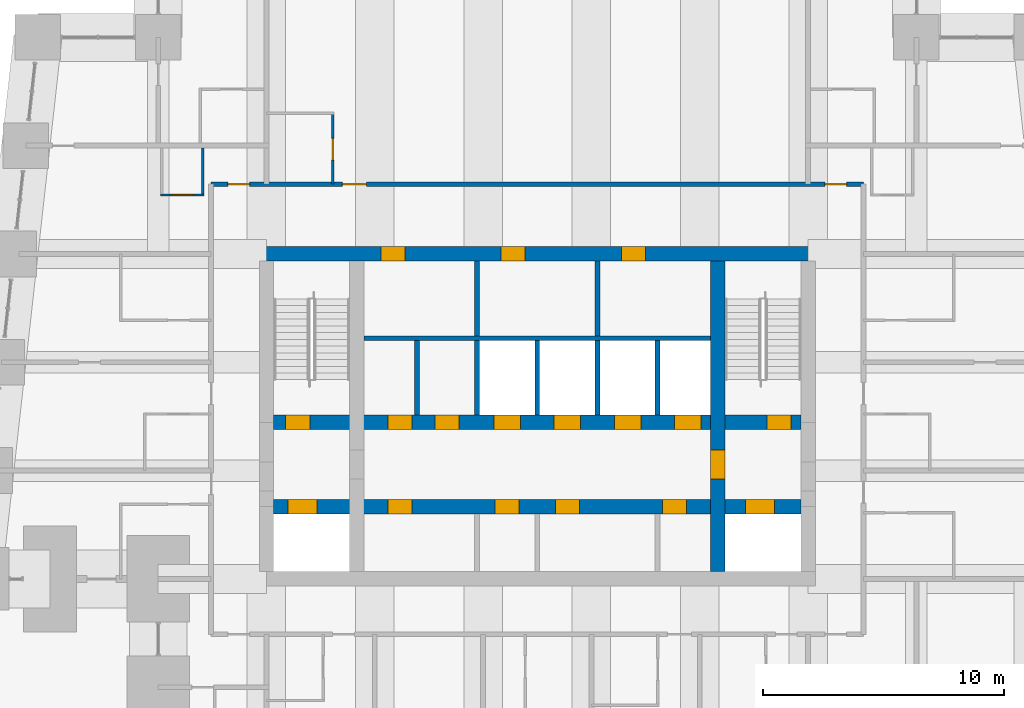
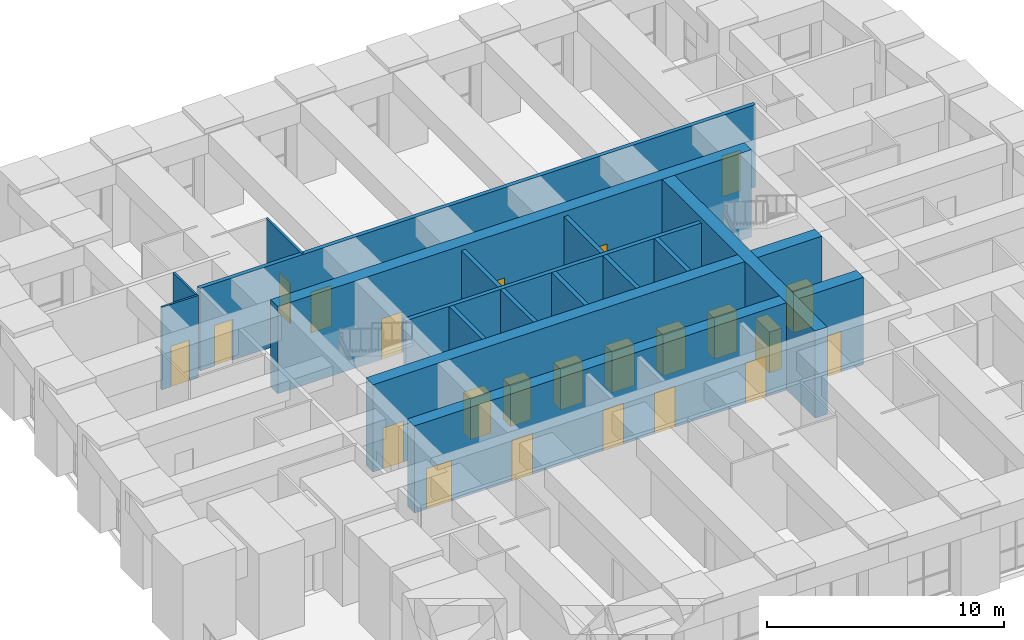
# One storey, part 13 of 16: 23 doors, 16 walls, 23 openings.
"""IFC4 building model written with IfcOpenShell, lengths in metres."""

import ifcopenshell
import ifcopenshell.guid

model = None  # the IFC model being written
_history = None  # IfcOwnerHistory: only IFC2X3 demands one
_inside = {}  # id of a spatial element -> (the spatial element, [elements in it])
_under = {}  # id of a project, library or spatial element -> (it, [spatial elements below it])
_declared = {}  # id of a project -> (the project, [libraries it declares])
_typed = {}  # id of a type object -> (the type object, [elements of that type])
_made_of = {}  # id of a material, layer set ... -> (it, [elements and type objects made of it])


def new_model(schema):
    """Start an empty IFC model of exactly this schema.

    Asked for "IFC4X3", IfcOpenShell would pick the latest addendum, in which some entities
    have other attributes; the version numbers below select the first issue.
    IFC2X3 requires an IfcOwnerHistory on every rooted entity: one is made here for all.
    """
    global model, _history
    if schema == "IFC4X3":
        model = ifcopenshell.file(schema_version=(4, 3, 0, 0))
    else:
        model = ifcopenshell.file(schema=schema)
    _inside.clear()
    _under.clear()
    _declared.clear()
    _typed.clear()
    _made_of.clear()
    _history = None
    if model.schema == "IFC2X3":
        org = make("IfcOrganization", Name="unknown")
        user = make(
            "IfcPersonAndOrganization",
            ThePerson=make("IfcPerson", FamilyName="unknown"),
            TheOrganization=org,
        )
        app = make(
            "IfcApplication",
            ApplicationDeveloper=org,
            Version="unknown",
            ApplicationFullName="unknown",
            ApplicationIdentifier="unknown",
        )
        _history = make(
            "IfcOwnerHistory",
            OwningUser=user,
            OwningApplication=app,
            ChangeAction="ADDED",
            CreationDate=0,
        )
    return model


def make(cls, **values):
    """One entity of the class cls with the attributes given. An attribute that is None is left unset."""
    return model.create_entity(
        cls, **{name: value for name, value in values.items() if value is not None}
    )


def rooted(cls, **values):
    """An entity with a GlobalId (a new one), such as an element, a storey or a relation."""
    return make(cls, GlobalId=ifcopenshell.guid.new(), OwnerHistory=_history, **values)


def si_unit(unit_type, name, prefix=None):
    """IfcSIUnit, for example si_unit("LENGTHUNIT", "METRE", prefix="MILLI")."""
    return make("IfcSIUnit", UnitType=unit_type, Prefix=prefix, Name=name)


def assignment(units):
    """IfcUnitAssignment: the units of a project."""
    return None if units is None else make("IfcUnitAssignment", Units=units)


def point(xyz):
    """IfcCartesianPoint."""
    return None if xyz is None else make("IfcCartesianPoint", Coordinates=xyz)


def direction(xyz):
    """IfcDirection."""
    return None if xyz is None else make("IfcDirection", DirectionRatios=xyz)


def frame(location, z_axis=None, x_axis=None):
    """IfcAxis2Placement3D, a coordinate frame: its origin and axes. An axis left out is left unset."""
    return make(
        "IfcAxis2Placement3D",
        Location=point(location),
        Axis=direction(z_axis),
        RefDirection=direction(x_axis),
    )


def frame_2d(location, x_axis=None):
    """IfcAxis2Placement2D, a coordinate frame in the plane: its origin and x axis."""
    return make(
        "IfcAxis2Placement2D", Location=point(location), RefDirection=direction(x_axis)
    )


def origin():
    """The frame at (0, 0, 0) with its axes left unset."""
    return frame((0.0, 0.0, 0.0))


def place(relative_to, where):
    """IfcLocalPlacement: puts the frame where relative to a parent placement (None: the world)."""
    return make(
        "IfcLocalPlacement", PlacementRelTo=relative_to, RelativePlacement=where
    )


def context(
    kind, dimensions, precision=None, world=None, true_north=None, identifier=None
):
    """IfcGeometricRepresentationContext, for example the 3D "Model" context."""
    return make(
        "IfcGeometricRepresentationContext",
        ContextIdentifier=identifier,
        ContextType=kind,
        CoordinateSpaceDimension=dimensions,
        Precision=precision,
        WorldCoordinateSystem=world,
        TrueNorth=true_north,
    )


def subcontext(parent, identifier, kind, view, scale=None):
    """IfcGeometricRepresentationSubContext, for example "Body" below "Model"."""
    return make(
        "IfcGeometricRepresentationSubContext",
        ContextIdentifier=identifier,
        ContextType=kind,
        ParentContext=parent,
        TargetScale=scale,
        TargetView=view,
    )


def project(units=None, contexts=None):
    """IfcProject with its units and contexts."""
    return rooted(
        "IfcProject",
        Name="project",
        RepresentationContexts=contexts,
        UnitsInContext=assignment(units),
    )


def spatial(cls, under=None, at=None, **own):
    """A site, building, storey or space (cls), placed at a placement, below another one or the project."""
    s = rooted(cls, ObjectPlacement=at, **own)
    if under is not None:
        _under.setdefault(under.id(), (under, []))[1].append(s)
    return s


def profile(cls, at=None, kind="AREA", **sizes):
    """A parametric profile (cls). Its sizes go by their IFC names, for example OverallWidth=200.0."""
    return make(cls, ProfileType=kind, Position=at, **sizes)


def rectangle(**sizes):
    """IfcRectangleProfileDef."""
    return profile("IfcRectangleProfileDef", **sizes)


def extrude(swept, where, along, depth):
    """IfcExtrudedAreaSolid: the profile swept, set in the frame where, extruded along a direction by depth."""
    return make(
        "IfcExtrudedAreaSolid",
        SweptArea=swept,
        Position=where,
        ExtrudedDirection=direction(along),
        Depth=depth,
    )


def shape(context_of_items, identifier, shape_type, items):
    """IfcShapeRepresentation: the items that make up one representation, for example the "Body"."""
    return make(
        "IfcShapeRepresentation",
        ContextOfItems=context_of_items,
        RepresentationIdentifier=identifier,
        RepresentationType=shape_type,
        Items=items,
    )


def material(Name=None, Category=None):
    """IfcMaterial."""
    return make("IfcMaterial", Name=Name, Category=Category)


def layer(
    of_material, thickness, ventilated=None, Name=None, Category=None, Priority=None
):
    """IfcMaterialLayer: one layer of a wall or slab, of a material (None: an air gap)."""
    return make(
        "IfcMaterialLayer",
        Material=of_material,
        LayerThickness=thickness,
        IsVentilated=ventilated,
        Name=Name,
        Category=Category,
        Priority=Priority,
    )


def layer_set(layers, Name=None):
    """IfcMaterialLayerSet."""
    return make("IfcMaterialLayerSet", MaterialLayers=layers, LayerSetName=Name)


def made_of(thing, what):
    """Note that an element or type object is made of a material, layer set ...; save() writes the relation."""
    if what is not None:
        _made_of.setdefault(what.id(), (what, []))[1].append(thing)
    return thing


def type_object(cls, material=None, **own):
    """A type object (cls), such as IfcWallType, which elements share."""
    return made_of(rooted(cls, **own), material)


def element(
    cls,
    number,
    at=None,
    inside=None,
    cuts=None,
    type_object=None,
    material=None,
    context=None,
    identifier="Body",
    shape_type=None,
    held_by="IfcProductDefinitionShape",
    body=None,
    shapes=None,
    **own,
):
    """One element of the class cls, such as IfcWall. Its Tag is "e" and its number.

    at: its placement. inside: the storey or other place that contains it. cuts: it is an
    opening in that element (IfcRelVoidsElement). A single representation is given by context,
    identifier, shape_type and body (its items); several are given by shapes. held_by: the class
    of the entity that holds the representations. save() writes the other relations.
    """
    e = rooted(cls, Tag="e%d" % number, ObjectPlacement=at, **own)
    if body is not None:
        shapes = [shape(context, identifier, shape_type, body)]
    if shapes is not None:
        e.Representation = make(held_by, Representations=shapes)
    if inside is not None:
        _inside.setdefault(inside.id(), (inside, []))[1].append(e)
    if cuts is not None:
        rooted(
            "IfcRelVoidsElement", RelatingBuildingElement=cuts, RelatedOpeningElement=e
        )
    if type_object is not None:
        _typed.setdefault(type_object.id(), (type_object, []))[1].append(e)
    return made_of(e, material)


def fill(opening, filler):
    """IfcRelFillsElement: the door or window that sits in an opening."""
    return rooted(
        "IfcRelFillsElement",
        RelatingOpeningElement=opening,
        RelatedBuildingElement=filler,
    )


def aggregate(whole, parts):
    """IfcRelAggregates: a whole, such as a stair, and the parts it consists of."""
    return rooted("IfcRelAggregates", RelatingObject=whole, RelatedObjects=parts)


def save(model, path):
    """Write the relations noted so far, then the file.

    IfcRelAggregates (storeys below a building ...), IfcRelContainedInSpatialStructure (elements
    in a storey), IfcRelDefinesByType, IfcRelAssociatesMaterial and IfcRelDeclares: one each for
    every whole, place, type object, material and project.
    """
    for whole, parts in _under.values():
        aggregate(whole, parts)
    for where, things in _inside.values():
        rooted(
            "IfcRelContainedInSpatialStructure",
            RelatedElements=things,
            RelatingStructure=where,
        )
    for kind, things in _typed.values():
        rooted("IfcRelDefinesByType", RelatedObjects=things, RelatingType=kind)
    for what, things in _made_of.values():
        rooted("IfcRelAssociatesMaterial", RelatedObjects=things, RelatingMaterial=what)
    for by, libraries in _declared.values():
        rooted("IfcRelDeclares", RelatingContext=by, RelatedDefinitions=libraries)
    model.write(path)


model = new_model("IFC4")

# Units and contexts
model_context = context("Model", 3, precision=1e-05, world=origin(), true_north=direction((0.0, 1.0)))
body_context = subcontext(model_context, "Body", "Model", "MODEL_VIEW")
ifc_project = project(units=[si_unit("LENGTHUNIT", "METRE"), si_unit("AREAUNIT", "SQUARE_METRE"), si_unit("VOLUMEUNIT", "CUBIC_METRE"), si_unit("PLANEANGLEUNIT", "RADIAN"), si_unit("MASSUNIT", "GRAM", prefix="KILO")], contexts=[model_context])

# Site, building, storey
site_placement = place(None, origin())
site = spatial("IfcSite", under=ifc_project, at=site_placement, CompositionType="ELEMENT")
building_placement = place(site_placement, origin())
building = spatial("IfcBuilding", under=site, at=building_placement, Name="Kilele Tower Hotel", CompositionType="ELEMENT")
storey_placement = place(building_placement, frame((0.0, 0.0, 157.89990234375)))
storey = spatial("IfcBuildingStorey", under=building, at=storey_placement, Name="L40", CompositionType="ELEMENT", Elevation=157.89990234375)

# Wall, opening, door
ifc_material_1 = material(Name="Moisture-resistant board")
ifc_layer_1 = layer(ifc_material_1, 0.10009765625)
ifc_layer_set_1 = layer_set([ifc_layer_1], Name="Moisture-resistant board")
wall_type_1 = type_object("IfcWallType", Name="Bathroom partition 100", PredefinedType="PLUMBINGWALL", material=ifc_layer_set_1)
wall_1_placement = place(storey_placement, frame((16.25, 29.89990234375, 0.0), z_axis=(0.0, 0.0, 1.0), x_axis=(0.0, 1.0, 0.0)))
wall_1 = element("IfcWall", 1, at=wall_1_placement, inside=storey, type_object=wall_type_1, Name="Bathroom partition 100 L40", PredefinedType="PLUMBINGWALL", context=body_context, shape_type="SweptSolid", body=[
    extrude(rectangle(XDim=3.0, YDim=0.10009765625, at=frame_2d((1.5, 0.0))), origin(), (0.0, 0.0, 1.0), 4.25),
])
opening_1_placement = place(wall_1_placement, frame((1.89990234375, 0.0, 0.0), z_axis=(0.0, 0.0, 1.0), x_axis=(-1.0, 0.0, 0.0)))
opening_1 = element("IfcOpeningElement", 2, at=opening_1_placement, cuts=wall_1, Name="Opening D2A", PredefinedType="OPENING", context=body_context, shape_type="SweptSolid", body=[
    extrude(rectangle(XDim=0.89990234375, YDim=2.10009765625, at=frame_2d((0.449951171875, 1.050048828125))), frame((0.0, 0.06005859375, 0.0), z_axis=(0.0, -1.0, 0.0), x_axis=(1.0, 0.0, 0.0)), (0.0, 0.0, 1.0), 0.1201171875),
])
ifc_material_2 = material(Name="Timber door leaf in hardwood frame", Category="wood")
door_type_1 = type_object("IfcDoorType", Name="Bathroom door 900", OperationType="SINGLE_SWING_LEFT", PredefinedType="DOOR", material=ifc_material_2)
door_1_placement = place(opening_1_placement, origin())
door_1 = element("IfcDoor", 3, at=door_1_placement, inside=storey, type_object=door_type_1, Name="Bathroom door 4009B", OperationType="SINGLE_SWING_RIGHT", OverallHeight=2.10009765625, OverallWidth=0.89990234375, PredefinedType="DOOR", context=body_context, shape_type="SweptSolid", body=[
    extrude(rectangle(XDim=0.89990234375, YDim=2.10009765625, at=frame_2d((0.449951171875, 1.050048828125))), frame((0.0, 0.02490234375, 0.0), z_axis=(0.0, -1.0, 0.0), x_axis=(1.0, 0.0, 0.0)), (0.0, 0.0, 1.0), 0.050048828125),
])
fill(opening_1, door_1)

# Wall
wall_2_placement = place(storey_placement, frame((10.85009765625, 31.39990234375, 0.0), z_axis=(0.0, 0.0, 1.0), x_axis=(0.0, -1.0, 0.0)))
element("IfcWall", 4, at=wall_2_placement, inside=storey, type_object=wall_type_1, Name="Bathroom partition 100 L40", PredefinedType="PLUMBINGWALL", context=body_context, shape_type="SweptSolid", body=[
    extrude(rectangle(XDim=2.0, YDim=0.10009765625, at=frame_2d((1.0, 0.0))), origin(), (0.0, 0.0, 1.0), 4.25),
])

# Wall, opening, door
wall_3_placement = place(storey_placement, frame((10.89990234375, 29.449951171875, 0.0), z_axis=(0.0, 0.0, 1.0), x_axis=(-1.0, 0.0, 0.0)))
wall_3 = element("IfcWall", 5, at=wall_3_placement, inside=storey, type_object=wall_type_1, Name="Bathroom partition 100 L40", PredefinedType="PLUMBINGWALL", context=body_context, shape_type="SweptSolid", body=[
    extrude(rectangle(XDim=1.7998046875, YDim=0.10009765625, at=frame_2d((0.89990234375, 0.0))), origin(), (0.0, 0.0, 1.0), 4.25),
])
opening_2_placement = place(wall_3_placement, frame((0.449951171875, 0.0, 0.0)))
opening_2 = element("IfcOpeningElement", 6, at=opening_2_placement, cuts=wall_3, Name="Opening D2A", PredefinedType="OPENING", context=body_context, shape_type="SweptSolid", body=[
    extrude(rectangle(XDim=0.89990234375, YDim=2.10009765625, at=frame_2d((0.449951171875, 1.050048828125))), frame((0.0, 0.06005859375, 0.0), z_axis=(0.0, -1.0, 0.0), x_axis=(1.0, 0.0, 0.0)), (0.0, 0.0, 1.0), 0.1201171875),
])
door_2_placement = place(opening_2_placement, origin())
door_2 = element("IfcDoor", 7, at=door_2_placement, inside=storey, type_object=door_type_1, Name="Bathroom door 4021P", OperationType="SINGLE_SWING_LEFT", OverallHeight=2.10009765625, OverallWidth=0.89990234375, PredefinedType="DOOR", context=body_context, shape_type="SweptSolid", body=[
    extrude(rectangle(XDim=0.89990234375, YDim=2.10009765625, at=frame_2d((0.449951171875, 1.050048828125))), frame((0.0, 0.02490234375, 0.0), z_axis=(0.0, -1.0, 0.0), x_axis=(1.0, 0.0, 0.0)), (0.0, 0.0, 1.0), 0.050048828125),
])
fill(opening_2, door_2)

# Wall, openings, doors
ifc_material_3 = material(Name="Concrete C70/85", Category="concrete")
ifc_layer_2 = layer(ifc_material_3, 0.60009765625)
ifc_layer_set_2 = layer_set([ifc_layer_2], Name="Concrete C70/85")
wall_type_2 = type_object("IfcWallType", Name="Core wall 600 C70/85", PredefinedType="SHEAR", material=ifc_layer_set_2)
wall_4_placement = place(storey_placement, frame((36.300048828125, 27.0, 0.0), z_axis=(0.0, 0.0, 1.0), x_axis=(-1.0, 0.0, 0.0)))
wall_4 = element("IfcWall", 8, at=wall_4_placement, inside=storey, type_object=wall_type_2, Name="Core wall N L40", PredefinedType="SHEAR", context=body_context, shape_type="SweptSolid", body=[
    extrude(rectangle(XDim=23.10009765625, YDim=0.60009765625, at=frame_2d((11.550048828125, 0.0))), origin(), (0.0, 0.0, 1.0), 4.5),
])
opening_3_placement = place(wall_4_placement, frame((17.050048828125, 0.0, 0.0)))
opening_3 = element("IfcOpeningElement", 9, at=opening_3_placement, cuts=wall_4, Name="Opening D6", PredefinedType="OPENING", context=body_context, shape_type="SweptSolid", body=[
    extrude(rectangle(XDim=1.0, YDim=2.10009765625, at=frame_2d((0.5, 1.050048828125))), frame((0.0, 0.31005859375, 0.0), z_axis=(0.0, -1.0, 0.0), x_axis=(1.0, 0.0, 0.0)), (0.0, 0.0, 1.0), 0.6201171875),
])
opening_4_placement = place(wall_4_placement, frame((12.050048828125, 0.0, 0.0)))
opening_4 = element("IfcOpeningElement", 10, at=opening_4_placement, cuts=wall_4, Name="Opening D6", PredefinedType="OPENING", context=body_context, shape_type="SweptSolid", body=[
    extrude(rectangle(XDim=1.0, YDim=2.10009765625, at=frame_2d((0.5, 1.050048828125))), frame((0.0, 0.31005859375, 0.0), z_axis=(0.0, -1.0, 0.0), x_axis=(1.0, 0.0, 0.0)), (0.0, 0.0, 1.0), 0.6201171875),
])
opening_5_placement = place(wall_4_placement, frame((7.050048828125, 0.0, 0.0)))
opening_5 = element("IfcOpeningElement", 11, at=opening_5_placement, cuts=wall_4, Name="Opening D6", PredefinedType="OPENING", context=body_context, shape_type="SweptSolid", body=[
    extrude(rectangle(XDim=1.0, YDim=2.10009765625, at=frame_2d((0.5, 1.050048828125))), frame((0.0, 0.31005859375, 0.0), z_axis=(0.0, -1.0, 0.0), x_axis=(1.0, 0.0, 0.0)), (0.0, 0.0, 1.0), 0.6201171875),
])
ifc_material_4 = material(Name="Timber door leaf in hardwood frame", Category="wood")
door_type_2 = type_object("IfcDoorType", Name="Riser door 1000", OperationType="SINGLE_SWING_LEFT", PredefinedType="DOOR", material=ifc_material_4)
door_3_placement = place(opening_3_placement, origin())
door_3 = element("IfcDoor", 12, at=door_3_placement, inside=storey, type_object=door_type_2, Name="Service riser door L40", OperationType="SINGLE_SWING_RIGHT", OverallHeight=2.10009765625, OverallWidth=1.0, PredefinedType="DOOR", context=body_context, shape_type="SweptSolid", body=[
    extrude(rectangle(XDim=1.0, YDim=2.10009765625, at=frame_2d((0.5, 1.050048828125))), frame((0.0, 0.2998046875, 0.0), z_axis=(0.0, -1.0, 0.0), x_axis=(1.0, 0.0, 0.0)), (0.0, 0.0, 1.0), 0.599609375),
])
fill(opening_3, door_3)
door_4_placement = place(opening_4_placement, origin())
door_4 = element("IfcDoor", 13, at=door_4_placement, inside=storey, type_object=door_type_2, Name="Guest pantry door L40", OperationType="SINGLE_SWING_RIGHT", OverallHeight=2.10009765625, OverallWidth=1.0, PredefinedType="DOOR", context=body_context, shape_type="SweptSolid", body=[
    extrude(rectangle(XDim=1.0, YDim=2.10009765625, at=frame_2d((0.5, 1.050048828125))), frame((0.0, 0.2998046875, 0.0), z_axis=(0.0, -1.0, 0.0), x_axis=(1.0, 0.0, 0.0)), (0.0, 0.0, 1.0), 0.599609375),
])
fill(opening_4, door_4)
door_5_placement = place(opening_5_placement, origin())
door_5 = element("IfcDoor", 14, at=door_5_placement, inside=storey, type_object=door_type_2, Name="Electrical riser door L40", OperationType="SINGLE_SWING_RIGHT", OverallHeight=2.10009765625, OverallWidth=1.0, PredefinedType="DOOR", context=body_context, shape_type="SweptSolid", body=[
    extrude(rectangle(XDim=1.0, YDim=2.10009765625, at=frame_2d((0.5, 1.050048828125))), frame((0.0, 0.2998046875, 0.0), z_axis=(0.0, -1.0, 0.0), x_axis=(1.0, 0.0, 0.0)), (0.0, 0.0, 1.0), 0.599609375),
])
fill(opening_5, door_5)

# Wall, opening, door
wall_5_placement = place(storey_placement, frame((32.25, 13.800048828125, 0.0), z_axis=(0.0, 0.0, 1.0), x_axis=(0.0, 1.0, 0.0)))
wall_5 = element("IfcWall", 15, at=wall_5_placement, inside=storey, type_object=wall_type_2, Name="Core wall IE L40", PredefinedType="SHEAR", context=body_context, shape_type="SweptSolid", body=[
    extrude(rectangle(XDim=12.89990234375, YDim=0.60009765625, at=frame_2d((6.449951171875, 0.0))), origin(), (0.0, 0.0, 1.0), 4.5),
])
opening_6_placement = place(wall_5_placement, frame((5.050048828125, 0.0, 0.0), z_axis=(0.0, 0.0, 1.0), x_axis=(-1.0, 0.0, 0.0)))
opening_6 = element("IfcOpeningElement", 16, at=opening_6_placement, cuts=wall_5, Name="Opening D4", PredefinedType="OPENING", context=body_context, shape_type="SweptSolid", body=[
    extrude(rectangle(XDim=1.199951171875, YDim=2.10009765625, at=frame_2d((0.60009765625, 1.050048828125))), frame((0.0, 0.31005859375, 0.0), z_axis=(0.0, -1.0, 0.0), x_axis=(1.0, 0.0, 0.0)), (0.0, 0.0, 1.0), 0.6201171875),
])
ifc_material_5 = material(Name="Timber door leaf in hardwood frame", Category="wood")
door_type_3 = type_object("IfcDoorType", Name="Firefighting lobby door 1200", OperationType="SINGLE_SWING_LEFT", PredefinedType="DOOR", material=ifc_material_5)
door_6_placement = place(opening_6_placement, origin())
door_6 = element("IfcDoor", 17, at=door_6_placement, inside=storey, type_object=door_type_3, Name="Lobby door L40", OperationType="SINGLE_SWING_RIGHT", OverallHeight=2.10009765625, OverallWidth=1.199951171875, PredefinedType="DOOR", context=body_context, shape_type="SweptSolid", body=[
    extrude(rectangle(XDim=1.199951171875, YDim=2.10009765625, at=frame_2d((0.60009765625, 1.050048828125))), frame((0.0, 0.2998046875, 0.0), z_axis=(0.0, -1.0, 0.0), x_axis=(1.0, 0.0, 0.0)), (0.0, 0.0, 1.0), 0.599609375),
])
fill(opening_6, door_6)

# Wall, openings, doors
wall_6_placement = place(storey_placement, frame((13.800048828125, 16.5, 0.0), z_axis=(0.0, 0.0, 1.0), x_axis=(1.0, 0.0, 0.0)))
wall_6 = element("IfcWall", 18, at=wall_6_placement, inside=storey, type_object=wall_type_2, Name="Core wall LS L40", PredefinedType="SHEAR", context=body_context, shape_type="SweptSolid", body=[
    extrude(rectangle(XDim=21.89990234375, YDim=0.60009765625, at=frame_2d((10.949951171875, 0.0))), origin(), (0.0, 0.0, 1.0), 4.5),
])
opening_7_placement = place(wall_6_placement, frame((5.75, 0.0, 0.0), z_axis=(0.0, 0.0, 1.0), x_axis=(-1.0, 0.0, 0.0)))
opening_7 = element("IfcOpeningElement", 19, at=opening_7_placement, cuts=wall_6, Name="Opening D11", PredefinedType="OPENING", context=body_context, shape_type="SweptSolid", body=[
    extrude(rectangle(XDim=1.0, YDim=2.10009765625, at=frame_2d((0.5, 1.050048828125))), frame((0.0, 0.31005859375, 0.0), z_axis=(0.0, -1.0, 0.0), x_axis=(1.0, 0.0, 0.0)), (0.0, 0.0, 1.0), 0.6201171875),
])
opening_8_placement = place(wall_6_placement, frame((10.199951171875, 0.0, 0.0), z_axis=(0.0, 0.0, 1.0), x_axis=(-1.0, 0.0, 0.0)))
opening_8 = element("IfcOpeningElement", 20, at=opening_8_placement, cuts=wall_6, Name="Opening D11", PredefinedType="OPENING", context=body_context, shape_type="SweptSolid", body=[
    extrude(rectangle(XDim=1.0, YDim=2.10009765625, at=frame_2d((0.5, 1.050048828125))), frame((0.0, 0.31005859375, 0.0), z_axis=(0.0, -1.0, 0.0), x_axis=(1.0, 0.0, 0.0)), (0.0, 0.0, 1.0), 0.6201171875),
])
opening_9_placement = place(wall_6_placement, frame((12.699951171875, 0.0, 0.0), z_axis=(0.0, 0.0, 1.0), x_axis=(-1.0, 0.0, 0.0)))
opening_9 = element("IfcOpeningElement", 21, at=opening_9_placement, cuts=wall_6, Name="Opening D11", PredefinedType="OPENING", context=body_context, shape_type="SweptSolid", body=[
    extrude(rectangle(XDim=1.0, YDim=2.10009765625, at=frame_2d((0.5, 1.050048828125))), frame((0.0, 0.31005859375, 0.0), z_axis=(0.0, -1.0, 0.0), x_axis=(1.0, 0.0, 0.0)), (0.0, 0.0, 1.0), 0.6201171875),
])
opening_10_placement = place(wall_6_placement, frame((17.14990234375, 0.0, 0.0), z_axis=(0.0, 0.0, 1.0), x_axis=(-1.0, 0.0, 0.0)))
opening_10 = element("IfcOpeningElement", 22, at=opening_10_placement, cuts=wall_6, Name="Opening D11", PredefinedType="OPENING", context=body_context, shape_type="SweptSolid", body=[
    extrude(rectangle(XDim=1.0, YDim=2.10009765625, at=frame_2d((0.5, 1.050048828125))), frame((0.0, 0.31005859375, 0.0), z_axis=(0.0, -1.0, 0.0), x_axis=(1.0, 0.0, 0.0)), (0.0, 0.0, 1.0), 0.6201171875),
])
opening_11_placement = place(wall_6_placement, frame((0.60009765625, 0.0, 0.0)))
opening_11 = element("IfcOpeningElement", 23, at=opening_11_placement, cuts=wall_6, Name="Opening LD2", PredefinedType="OPENING", context=body_context, shape_type="SweptSolid", body=[
    extrude(rectangle(XDim=1.199951171875, YDim=2.10009765625, at=frame_2d((0.60009765625, 1.050048828125))), frame((0.0, 0.31005859375, 0.0), z_axis=(0.0, -1.0, 0.0), x_axis=(1.0, 0.0, 0.0)), (0.0, 0.0, 1.0), 0.6201171875),
])
opening_12_placement = place(wall_6_placement, frame((19.60009765625, 0.0, 0.0)))
opening_12 = element("IfcOpeningElement", 24, at=opening_12_placement, cuts=wall_6, Name="Opening LD2", PredefinedType="OPENING", context=body_context, shape_type="SweptSolid", body=[
    extrude(rectangle(XDim=1.199951171875, YDim=2.10009765625, at=frame_2d((0.60009765625, 1.050048828125))), frame((0.0, 0.31005859375, 0.0), z_axis=(0.0, -1.0, 0.0), x_axis=(1.0, 0.0, 0.0)), (0.0, 0.0, 1.0), 0.6201171875),
])
ifc_material_6 = material(Name="Timber door leaf in hardwood frame", Category="wood")
door_type_4 = type_object("IfcDoorType", Name="Core store door 1000", OperationType="SINGLE_SWING_LEFT", PredefinedType="DOOR", material=ifc_material_6)
door_7_placement = place(opening_7_placement, origin())
door_7 = element("IfcDoor", 25, at=door_7_placement, inside=storey, type_object=door_type_4, Name="Core room door L1 L40", OperationType="SINGLE_SWING_RIGHT", OverallHeight=2.10009765625, OverallWidth=1.0, PredefinedType="DOOR", context=body_context, shape_type="SweptSolid", body=[
    extrude(rectangle(XDim=1.0, YDim=2.10009765625, at=frame_2d((0.5, 1.050048828125))), frame((0.0, 0.2998046875, 0.0), z_axis=(0.0, -1.0, 0.0), x_axis=(1.0, 0.0, 0.0)), (0.0, 0.0, 1.0), 0.599609375),
])
fill(opening_7, door_7)
door_8_placement = place(opening_8_placement, origin())
door_8 = element("IfcDoor", 26, at=door_8_placement, inside=storey, type_object=door_type_4, Name="Core room door L3 L40", OperationType="SINGLE_SWING_RIGHT", OverallHeight=2.10009765625, OverallWidth=1.0, PredefinedType="DOOR", context=body_context, shape_type="SweptSolid", body=[
    extrude(rectangle(XDim=1.0, YDim=2.10009765625, at=frame_2d((0.5, 1.050048828125))), frame((0.0, 0.2998046875, 0.0), z_axis=(0.0, -1.0, 0.0), x_axis=(1.0, 0.0, 0.0)), (0.0, 0.0, 1.0), 0.599609375),
])
fill(opening_8, door_8)
door_9_placement = place(opening_9_placement, origin())
door_9 = element("IfcDoor", 27, at=door_9_placement, inside=storey, type_object=door_type_4, Name="Core room door M1 L40", OperationType="SINGLE_SWING_RIGHT", OverallHeight=2.10009765625, OverallWidth=1.0, PredefinedType="DOOR", context=body_context, shape_type="SweptSolid", body=[
    extrude(rectangle(XDim=1.0, YDim=2.10009765625, at=frame_2d((0.5, 1.050048828125))), frame((0.0, 0.2998046875, 0.0), z_axis=(0.0, -1.0, 0.0), x_axis=(1.0, 0.0, 0.0)), (0.0, 0.0, 1.0), 0.599609375),
])
fill(opening_9, door_9)
door_10_placement = place(opening_10_placement, origin())
door_10 = element("IfcDoor", 28, at=door_10_placement, inside=storey, type_object=door_type_4, Name="Core room door M3 L40", OperationType="SINGLE_SWING_RIGHT", OverallHeight=2.10009765625, OverallWidth=1.0, PredefinedType="DOOR", context=body_context, shape_type="SweptSolid", body=[
    extrude(rectangle(XDim=1.0, YDim=2.10009765625, at=frame_2d((0.5, 1.050048828125))), frame((0.0, 0.2998046875, 0.0), z_axis=(0.0, -1.0, 0.0), x_axis=(1.0, 0.0, 0.0)), (0.0, 0.0, 1.0), 0.599609375),
])
fill(opening_10, door_10)
ifc_material_7 = material(Name="Steel lift landing door", Category="steel")
door_type_5 = type_object("IfcDoorType", Name="Firefighting lift landing door 1200", OperationType="SLIDING_TO_LEFT", PredefinedType="DOOR", material=ifc_material_7)
door_11_placement = place(opening_11_placement, origin())
door_11 = element("IfcDoor", 29, at=door_11_placement, inside=storey, type_object=door_type_5, Name="Landing door FFW L40", OperationType="SLIDING_TO_LEFT", OverallHeight=2.10009765625, OverallWidth=1.199951171875, PredefinedType="DOOR", context=body_context, shape_type="SweptSolid", body=[
    extrude(rectangle(XDim=1.199951171875, YDim=2.10009765625, at=frame_2d((0.60009765625, 1.050048828125))), frame((0.0, 0.2998046875, 0.0), z_axis=(0.0, -1.0, 0.0), x_axis=(1.0, 0.0, 0.0)), (0.0, 0.0, 1.0), 0.599609375),
])
fill(opening_11, door_11)
door_12_placement = place(opening_12_placement, origin())
door_12 = element("IfcDoor", 30, at=door_12_placement, inside=storey, type_object=door_type_5, Name="Landing door FFE L40", OperationType="SLIDING_TO_LEFT", OverallHeight=2.10009765625, OverallWidth=1.199951171875, PredefinedType="DOOR", context=body_context, shape_type="SweptSolid", body=[
    extrude(rectangle(XDim=1.199951171875, YDim=2.10009765625, at=frame_2d((0.60009765625, 1.050048828125))), frame((0.0, 0.2998046875, 0.0), z_axis=(0.0, -1.0, 0.0), x_axis=(1.0, 0.0, 0.0)), (0.0, 0.0, 1.0), 0.599609375),
])
fill(opening_12, door_12)

wall_7_placement = place(storey_placement, frame((13.800048828125, 20.0, 0.0), z_axis=(0.0, 0.0, 1.0), x_axis=(1.0, 0.0, 0.0)))
wall_7 = element("IfcWall", 31, at=wall_7_placement, inside=storey, type_object=wall_type_2, Name="Core wall LN L40", PredefinedType="SHEAR", context=body_context, shape_type="SweptSolid", body=[
    extrude(rectangle(XDim=21.89990234375, YDim=0.60009765625, at=frame_2d((10.949951171875, 0.0))), origin(), (0.0, 0.0, 1.0), 4.5),
])
opening_13_placement = place(wall_7_placement, frame((0.5, 0.0, 0.0)))
opening_13 = element("IfcOpeningElement", 32, at=opening_13_placement, cuts=wall_7, Name="Opening D5", PredefinedType="OPENING", context=body_context, shape_type="SweptSolid", body=[
    extrude(rectangle(XDim=1.0, YDim=2.10009765625, at=frame_2d((0.5, 1.050048828125))), frame((0.0, 0.31005859375, 0.0), z_axis=(0.0, -1.0, 0.0), x_axis=(1.0, 0.0, 0.0)), (0.0, 0.0, 1.0), 0.6201171875),
])
opening_14_placement = place(wall_7_placement, frame((20.5, 0.0, 0.0)))
opening_14 = element("IfcOpeningElement", 33, at=opening_14_placement, cuts=wall_7, Name="Opening D5", PredefinedType="OPENING", context=body_context, shape_type="SweptSolid", body=[
    extrude(rectangle(XDim=1.0, YDim=2.10009765625, at=frame_2d((0.5, 1.050048828125))), frame((0.0, 0.31005859375, 0.0), z_axis=(0.0, -1.0, 0.0), x_axis=(1.0, 0.0, 0.0)), (0.0, 0.0, 1.0), 0.6201171875),
])
opening_15_placement = place(wall_7_placement, frame((9.14990234375, 0.0, 0.0)))
opening_15 = element("IfcOpeningElement", 34, at=opening_15_placement, cuts=wall_7, Name="Opening LD1", PredefinedType="OPENING", context=body_context, shape_type="SweptSolid", body=[
    extrude(rectangle(XDim=1.10009765625, YDim=2.10009765625, at=frame_2d((0.550048828125, 1.050048828125))), frame((0.0, 0.31005859375, 0.0), z_axis=(0.0, -1.0, 0.0), x_axis=(1.0, 0.0, 0.0)), (0.0, 0.0, 1.0), 0.6201171875),
])
opening_16_placement = place(wall_7_placement, frame((11.64990234375, 0.0, 0.0)))
opening_16 = element("IfcOpeningElement", 35, at=opening_16_placement, cuts=wall_7, Name="Opening LD1", PredefinedType="OPENING", context=body_context, shape_type="SweptSolid", body=[
    extrude(rectangle(XDim=1.10009765625, YDim=2.10009765625, at=frame_2d((0.550048828125, 1.050048828125))), frame((0.0, 0.31005859375, 0.0), z_axis=(0.0, -1.0, 0.0), x_axis=(1.0, 0.0, 0.0)), (0.0, 0.0, 1.0), 0.6201171875),
])
opening_17_placement = place(wall_7_placement, frame((14.14990234375, 0.0, 0.0)))
opening_17 = element("IfcOpeningElement", 36, at=opening_17_placement, cuts=wall_7, Name="Opening LD1", PredefinedType="OPENING", context=body_context, shape_type="SweptSolid", body=[
    extrude(rectangle(XDim=1.10009765625, YDim=2.10009765625, at=frame_2d((0.550048828125, 1.050048828125))), frame((0.0, 0.31005859375, 0.0), z_axis=(0.0, -1.0, 0.0), x_axis=(1.0, 0.0, 0.0)), (0.0, 0.0, 1.0), 0.6201171875),
])
opening_18_placement = place(wall_7_placement, frame((16.64990234375, 0.0, 0.0)))
opening_18 = element("IfcOpeningElement", 37, at=opening_18_placement, cuts=wall_7, Name="Opening LD1", PredefinedType="OPENING", context=body_context, shape_type="SweptSolid", body=[
    extrude(rectangle(XDim=1.10009765625, YDim=2.10009765625, at=frame_2d((0.550048828125, 1.050048828125))), frame((0.0, 0.31005859375, 0.0), z_axis=(0.0, -1.0, 0.0), x_axis=(1.0, 0.0, 0.0)), (0.0, 0.0, 1.0), 0.6201171875),
])
opening_19_placement = place(wall_7_placement, frame((4.75, 0.0, 0.0)))
opening_19 = element("IfcOpeningElement", 38, at=opening_19_placement, cuts=wall_7, Name="Opening D11", PredefinedType="OPENING", context=body_context, shape_type="SweptSolid", body=[
    extrude(rectangle(XDim=1.0, YDim=2.10009765625, at=frame_2d((0.5, 1.050048828125))), frame((0.0, 0.31005859375, 0.0), z_axis=(0.0, -1.0, 0.0), x_axis=(1.0, 0.0, 0.0)), (0.0, 0.0, 1.0), 0.6201171875),
])
opening_20_placement = place(wall_7_placement, frame((6.699951171875, 0.0, 0.0)))
opening_20 = element("IfcOpeningElement", 39, at=opening_20_placement, cuts=wall_7, Name="Opening D11", PredefinedType="OPENING", context=body_context, shape_type="SweptSolid", body=[
    extrude(rectangle(XDim=1.0, YDim=2.10009765625, at=frame_2d((0.5, 1.050048828125))), frame((0.0, 0.31005859375, 0.0), z_axis=(0.0, -1.0, 0.0), x_axis=(1.0, 0.0, 0.0)), (0.0, 0.0, 1.0), 0.6201171875),
])
door_13_placement = place(opening_19_placement, origin())
door_13 = element("IfcDoor", 40, at=door_13_placement, inside=storey, type_object=door_type_4, Name="Core room door S1 L40", OperationType="SINGLE_SWING_RIGHT", OverallHeight=2.10009765625, OverallWidth=1.0, PredefinedType="DOOR", context=body_context, shape_type="SweptSolid", body=[
    extrude(rectangle(XDim=1.0, YDim=2.10009765625, at=frame_2d((0.5, 1.050048828125))), frame((0.0, 0.2998046875, 0.0), z_axis=(0.0, -1.0, 0.0), x_axis=(1.0, 0.0, 0.0)), (0.0, 0.0, 1.0), 0.599609375),
])
fill(opening_19, door_13)
door_14_placement = place(opening_20_placement, origin())
door_14 = element("IfcDoor", 41, at=door_14_placement, inside=storey, type_object=door_type_4, Name="Core room door S2 L40", OperationType="SINGLE_SWING_LEFT", OverallHeight=2.10009765625, OverallWidth=1.0, PredefinedType="DOOR", context=body_context, shape_type="SweptSolid", body=[
    extrude(rectangle(XDim=1.0, YDim=2.10009765625, at=frame_2d((0.5, 1.050048828125))), frame((0.0, 0.2998046875, 0.0), z_axis=(0.0, -1.0, 0.0), x_axis=(1.0, 0.0, 0.0)), (0.0, 0.0, 1.0), 0.599609375),
])
fill(opening_20, door_14)
ifc_material_8 = material(Name="Steel lift landing door", Category="steel")
door_type_6 = type_object("IfcDoorType", Name="Lift landing door 1100", OperationType="SLIDING_TO_LEFT", PredefinedType="DOOR", material=ifc_material_8)
door_15_placement = place(opening_15_placement, origin())
door_15 = element("IfcDoor", 42, at=door_15_placement, inside=storey, type_object=door_type_6, Name="Landing door H1 L40", OperationType="SLIDING_TO_LEFT", OverallHeight=2.10009765625, OverallWidth=1.10009765625, PredefinedType="DOOR", context=body_context, shape_type="SweptSolid", body=[
    extrude(rectangle(XDim=1.10009765625, YDim=2.10009765625, at=frame_2d((0.550048828125, 1.050048828125))), frame((0.0, 0.2998046875, 0.0), z_axis=(0.0, -1.0, 0.0), x_axis=(1.0, 0.0, 0.0)), (0.0, 0.0, 1.0), 0.599609375),
])
fill(opening_15, door_15)
door_16_placement = place(opening_16_placement, origin())
door_16 = element("IfcDoor", 43, at=door_16_placement, inside=storey, type_object=door_type_6, Name="Landing door H2 L40", OperationType="SLIDING_TO_LEFT", OverallHeight=2.10009765625, OverallWidth=1.10009765625, PredefinedType="DOOR", context=body_context, shape_type="SweptSolid", body=[
    extrude(rectangle(XDim=1.10009765625, YDim=2.10009765625, at=frame_2d((0.550048828125, 1.050048828125))), frame((0.0, 0.2998046875, 0.0), z_axis=(0.0, -1.0, 0.0), x_axis=(1.0, 0.0, 0.0)), (0.0, 0.0, 1.0), 0.599609375),
])
fill(opening_16, door_16)
door_17_placement = place(opening_17_placement, origin())
door_17 = element("IfcDoor", 44, at=door_17_placement, inside=storey, type_object=door_type_6, Name="Landing door H3 L40", OperationType="SLIDING_TO_LEFT", OverallHeight=2.10009765625, OverallWidth=1.10009765625, PredefinedType="DOOR", context=body_context, shape_type="SweptSolid", body=[
    extrude(rectangle(XDim=1.10009765625, YDim=2.10009765625, at=frame_2d((0.550048828125, 1.050048828125))), frame((0.0, 0.2998046875, 0.0), z_axis=(0.0, -1.0, 0.0), x_axis=(1.0, 0.0, 0.0)), (0.0, 0.0, 1.0), 0.599609375),
])
fill(opening_17, door_17)
door_18_placement = place(opening_18_placement, origin())
door_18 = element("IfcDoor", 45, at=door_18_placement, inside=storey, type_object=door_type_6, Name="Landing door G1 L40", OperationType="SLIDING_TO_LEFT", OverallHeight=2.10009765625, OverallWidth=1.10009765625, PredefinedType="DOOR", context=body_context, shape_type="SweptSolid", body=[
    extrude(rectangle(XDim=1.10009765625, YDim=2.10009765625, at=frame_2d((0.550048828125, 1.050048828125))), frame((0.0, 0.2998046875, 0.0), z_axis=(0.0, -1.0, 0.0), x_axis=(1.0, 0.0, 0.0)), (0.0, 0.0, 1.0), 0.599609375),
])
fill(opening_18, door_18)
ifc_material_9 = material(Name="Timber door leaf in hardwood frame", Category="wood")
door_type_7 = type_object("IfcDoorType", Name="Stair door 1000", OperationType="SINGLE_SWING_LEFT", PredefinedType="DOOR", material=ifc_material_9)
door_19_placement = place(opening_13_placement, origin())
door_19 = element("IfcDoor", 46, at=door_19_placement, inside=storey, type_object=door_type_7, Name="Stair 1 door L40", OperationType="SINGLE_SWING_LEFT", OverallHeight=2.10009765625, OverallWidth=1.0, PredefinedType="DOOR", context=body_context, shape_type="SweptSolid", body=[
    extrude(rectangle(XDim=1.0, YDim=2.10009765625, at=frame_2d((0.5, 1.050048828125))), frame((0.0, 0.2998046875, 0.0), z_axis=(0.0, -1.0, 0.0), x_axis=(1.0, 0.0, 0.0)), (0.0, 0.0, 1.0), 0.599609375),
])
fill(opening_13, door_19)
door_20_placement = place(opening_14_placement, origin())
door_20 = element("IfcDoor", 47, at=door_20_placement, inside=storey, type_object=door_type_7, Name="Stair 2 door L40", OperationType="SINGLE_SWING_RIGHT", OverallHeight=2.10009765625, OverallWidth=1.0, PredefinedType="DOOR", context=body_context, shape_type="SweptSolid", body=[
    extrude(rectangle(XDim=1.0, YDim=2.10009765625, at=frame_2d((0.5, 1.050048828125))), frame((0.0, 0.2998046875, 0.0), z_axis=(0.0, -1.0, 0.0), x_axis=(1.0, 0.0, 0.0)), (0.0, 0.0, 1.0), 0.599609375),
])
fill(opening_14, door_20)

ifc_material_10 = material(Name="Blockwork, plastered both sides", Category="masonry")
ifc_layer_3 = layer(ifc_material_10, 0.199951171875)
ifc_layer_set_3 = layer_set([ifc_layer_3], Name="Blockwork, plastered both sides")
wall_type_3 = type_object("IfcWallType", Name="Corridor wall 200", PredefinedType="PARTITIONING", material=ifc_layer_set_3)
wall_8_placement = place(storey_placement, frame((11.199951171875, 29.89990234375, 0.0), z_axis=(0.0, 0.0, 1.0), x_axis=(1.0, 0.0, 0.0)))
wall_8 = element("IfcWall", 48, at=wall_8_placement, inside=storey, type_object=wall_type_3, Name="Corridor wall 200 L40", PredefinedType="PARTITIONING", context=body_context, shape_type="SweptSolid", body=[
    extrude(rectangle(XDim=27.10009765625, YDim=0.199951171875, at=frame_2d((13.550048828125, 0.0))), origin(), (0.0, 0.0, 1.0), 4.25),
])
opening_21_placement = place(wall_8_placement, frame((6.449951171875, 0.0, 0.0), z_axis=(0.0, 0.0, 1.0), x_axis=(-1.0, 0.0, 0.0)))
opening_21 = element("IfcOpeningElement", 49, at=opening_21_placement, cuts=wall_8, Name="Opening D8", PredefinedType="OPENING", context=body_context, shape_type="SweptSolid", body=[
    extrude(rectangle(XDim=1.0, YDim=2.10009765625, at=frame_2d((0.5, 1.050048828125))), frame((0.0, 0.10986328125, 0.0), z_axis=(0.0, -1.0, 0.0), x_axis=(1.0, 0.0, 0.0)), (0.0, 0.0, 1.0), 0.219970703125),
])
opening_22_placement = place(wall_8_placement, frame((25.5, 0.0, 0.0)))
opening_22 = element("IfcOpeningElement", 50, at=opening_22_placement, cuts=wall_8, Name="Opening D1", PredefinedType="OPENING", context=body_context, shape_type="SweptSolid", body=[
    extrude(rectangle(XDim=0.89990234375, YDim=2.10009765625, at=frame_2d((0.449951171875, 1.050048828125))), frame((0.0, 0.10986328125, 0.0), z_axis=(0.0, -1.0, 0.0), x_axis=(1.0, 0.0, 0.0)), (0.0, 0.0, 1.0), 0.219970703125),
])
opening_23_placement = place(wall_8_placement, frame((0.699951171875, 0.0, 0.0)))
opening_23 = element("IfcOpeningElement", 51, at=opening_23_placement, cuts=wall_8, Name="Opening D1", PredefinedType="OPENING", context=body_context, shape_type="SweptSolid", body=[
    extrude(rectangle(XDim=0.89990234375, YDim=2.10009765625, at=frame_2d((0.449951171875, 1.050048828125))), frame((0.0, 0.10986328125, 0.0), z_axis=(0.0, -1.0, 0.0), x_axis=(1.0, 0.0, 0.0)), (0.0, 0.0, 1.0), 0.219970703125),
])
ifc_material_11 = material(Name="Timber door leaf in hardwood frame", Category="wood")
door_type_8 = type_object("IfcDoorType", Name="Door 1000", OperationType="SINGLE_SWING_LEFT", PredefinedType="DOOR", material=ifc_material_11)
door_21_placement = place(opening_21_placement, origin())
door_21 = element("IfcDoor", 52, at=door_21_placement, inside=storey, type_object=door_type_8, Name="Room entrance 4009", OperationType="SINGLE_SWING_RIGHT", OverallHeight=2.10009765625, OverallWidth=1.0, PredefinedType="DOOR", context=body_context, shape_type="SweptSolid", body=[
    extrude(rectangle(XDim=1.0, YDim=2.10009765625, at=frame_2d((0.5, 1.050048828125))), frame((0.0, 0.02490234375, 0.0), z_axis=(0.0, -1.0, 0.0), x_axis=(1.0, 0.0, 0.0)), (0.0, 0.0, 1.0), 0.050048828125),
])
fill(opening_21, door_21)
ifc_material_12 = material(Name="Timber door leaf in hardwood frame", Category="wood")
door_type_9 = type_object("IfcDoorType", Name="Guest room entrance door 900", OperationType="SINGLE_SWING_LEFT", PredefinedType="DOOR", material=ifc_material_12)
door_22_placement = place(opening_22_placement, origin())
door_22 = element("IfcDoor", 53, at=door_22_placement, inside=storey, type_object=door_type_9, Name="Room entrance 4018", OperationType="SINGLE_SWING_LEFT", OverallHeight=2.10009765625, OverallWidth=0.89990234375, PredefinedType="DOOR", context=body_context, shape_type="SweptSolid", body=[
    extrude(rectangle(XDim=0.89990234375, YDim=2.10009765625, at=frame_2d((0.449951171875, 1.050048828125))), frame((0.0, 0.02490234375, 0.0), z_axis=(0.0, -1.0, 0.0), x_axis=(1.0, 0.0, 0.0)), (0.0, 0.0, 1.0), 0.050048828125),
])
fill(opening_22, door_22)
door_23_placement = place(opening_23_placement, origin())
door_23 = element("IfcDoor", 54, at=door_23_placement, inside=storey, type_object=door_type_9, Name="Room entrance 4021", OperationType="SINGLE_SWING_RIGHT", OverallHeight=2.10009765625, OverallWidth=0.89990234375, PredefinedType="DOOR", context=body_context, shape_type="SweptSolid", body=[
    extrude(rectangle(XDim=0.89990234375, YDim=2.10009765625, at=frame_2d((0.449951171875, 1.050048828125))), frame((0.0, 0.02490234375, 0.0), z_axis=(0.0, -1.0, 0.0), x_axis=(1.0, 0.0, 0.0)), (0.0, 0.0, 1.0), 0.050048828125),
])
fill(opening_23, door_23)

# Walls
ifc_material_13 = material(Name="Blockwork, fire-rated", Category="masonry")
ifc_layer_4 = layer(ifc_material_13, 0.199951171875)
ifc_layer_set_4 = layer_set([ifc_layer_4], Name="Blockwork, fire-rated")
wall_type_4 = type_object("IfcWallType", Name="Shaft wall 200", PredefinedType="PARTITIONING", material=ifc_layer_set_4)
for number, where, z_axis, x_axis, name in (
    (55, (19.75, 20.300048828125, 0.0), (0.0, 0.0, 1.0), (0.0, 1.0, 0.0), "Shaft wall 200 L40"),
    (56, (22.25, 20.300048828125, 0.0), (0.0, 0.0, 1.0), (0.0, 1.0, 0.0), "Shaft wall 200 L40"),
    (57, (24.75, 20.300048828125, 0.0), (0.0, 0.0, 1.0), (0.0, 1.0, 0.0), "Shaft wall 200 L40"),
    (58, (27.25, 20.300048828125, 0.0), (0.0, 0.0, 1.0), (0.0, 1.0, 0.0), "Shaft wall 200 L40"),
    (59, (29.75, 20.300048828125, 0.0), (0.0, 0.0, 1.0), (0.0, 1.0, 0.0), "Shaft wall 200 L40"),
):
    element("IfcWall", number, at=place(storey_placement, frame(where, z_axis=z_axis, x_axis=x_axis)), inside=storey, type_object=wall_type_4, Name=name, PredefinedType="PARTITIONING", context=body_context, shape_type="SweptSolid", body=[
        extrude(rectangle(XDim=3.099853515625, YDim=0.199951171875, at=frame_2d((1.5498046875, 0.0))), origin(), (0.0, 0.0, 1.0), 4.25),
    ])
wall_9_placement = place(storey_placement, frame((17.550048828125, 23.5, 0.0), z_axis=(0.0, 0.0, 1.0), x_axis=(1.0, 0.0, 0.0)))
element("IfcWall", 60, at=wall_9_placement, inside=storey, type_object=wall_type_4, Name="Shaft wall 200 L40", PredefinedType="PARTITIONING", context=body_context, shape_type="SweptSolid", body=[
    extrude(rectangle(XDim=14.39990234375, YDim=0.199951171875, at=frame_2d((7.199951171875, 0.0))), origin(), (0.0, 0.0, 1.0), 4.25),
])
for number, where, z_axis, x_axis, name in (
    (61, (22.25, 23.60009765625, 0.0), (0.0, 0.0, 1.0), (0.0, 1.0, 0.0), "Shaft wall 200 L40"),
    (62, (27.25, 23.60009765625, 0.0), (0.0, 0.0, 1.0), (0.0, 1.0, 0.0), "Shaft wall 200 L40"),
):
    element("IfcWall", number, at=place(storey_placement, frame(where, z_axis=z_axis, x_axis=x_axis)), inside=storey, type_object=wall_type_4, Name=name, PredefinedType="PARTITIONING", context=body_context, shape_type="SweptSolid", body=[
        extrude(rectangle(XDim=3.099853515625, YDim=0.199951171875, at=frame_2d((1.5498046875, 0.0))), origin(), (0.0, 0.0, 1.0), 4.25),
    ])

save(model, "model.ifc")
